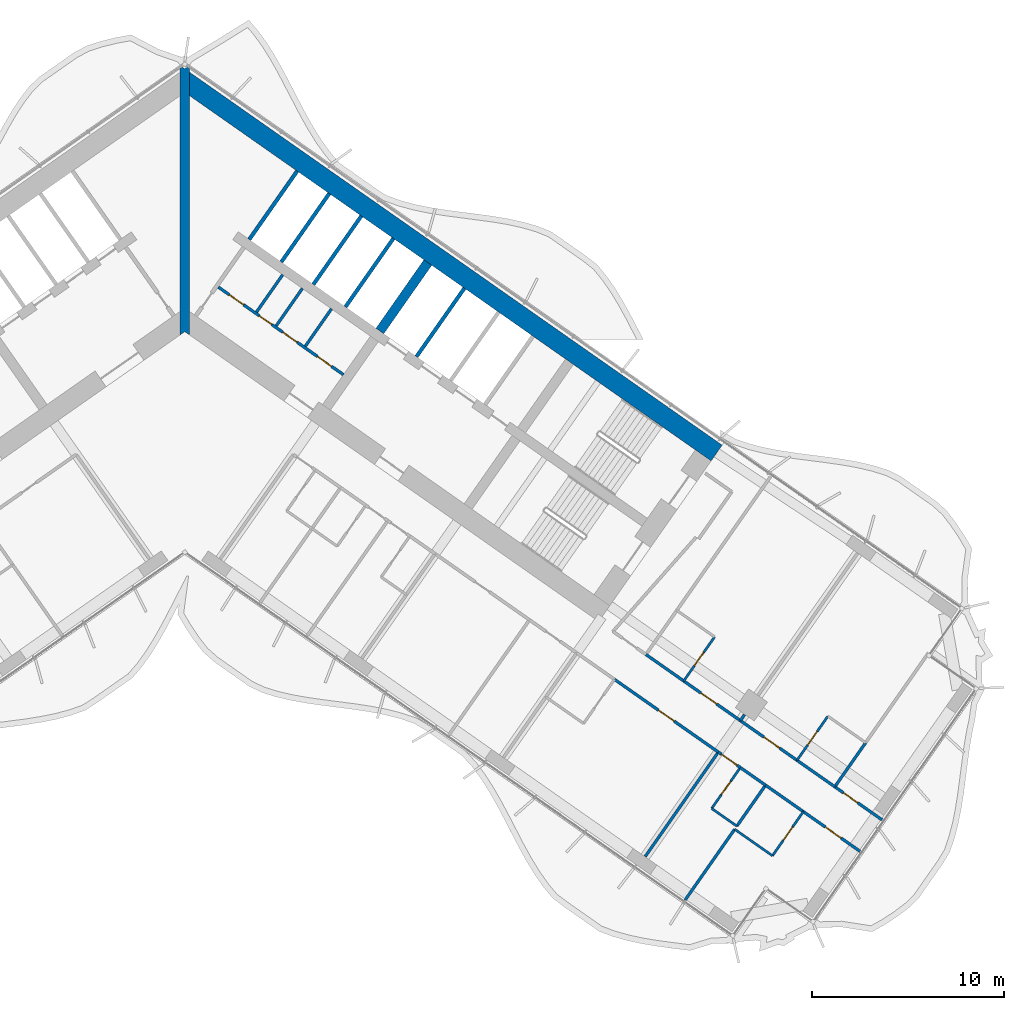
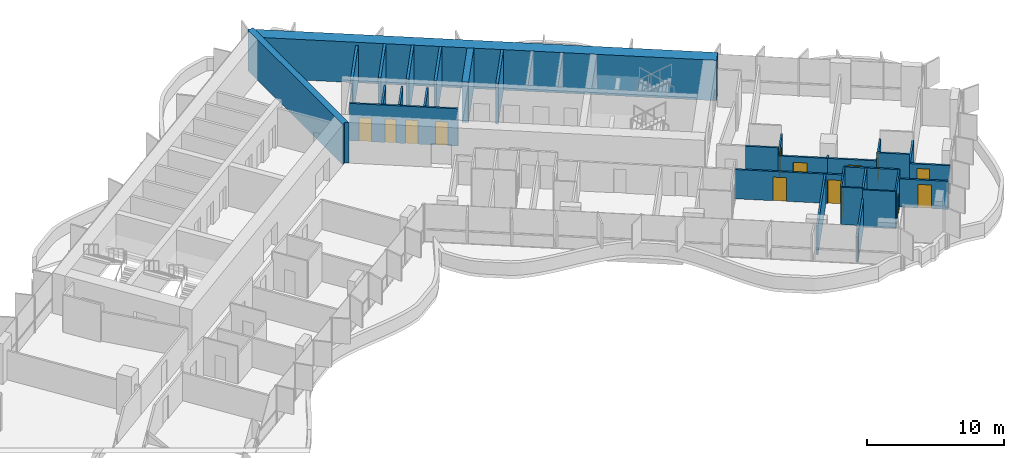
# One storey, part 15 of 23: 33 walls, 14 doors, 14 openings.
"""IFC4 building model written with IfcOpenShell, lengths in metres."""

from ifc_helpers import new_model, si_unit, direction, frame, frame_2d, origin, place, context, subcontext, project, spatial, polyline, rectangle, outline, extrude, material, layer, layer_set, type_object, element, fill, save


model = new_model("IFC4")

# Units and contexts
model_context = context("Model", 3, precision=1e-05, world=origin(), true_north=direction((0.0, 1.0)))
body_context = subcontext(model_context, "Body", "Model", "MODEL_VIEW")
ifc_project = project(units=[si_unit("LENGTHUNIT", "METRE"), si_unit("AREAUNIT", "SQUARE_METRE"), si_unit("VOLUMEUNIT", "CUBIC_METRE"), si_unit("PLANEANGLEUNIT", "RADIAN"), si_unit("MASSUNIT", "GRAM", prefix="KILO")], contexts=[model_context])

# Site, building, storey
site_placement = place(None, origin())
site = spatial("IfcSite", under=ifc_project, at=site_placement, CompositionType="ELEMENT")
building_placement = place(site_placement, origin())
building = spatial("IfcBuilding", under=site, at=building_placement, Name="Tel Ilan Convention Tower", CompositionType="ELEMENT")
storey_placement = place(building_placement, frame((0.0, 0.0, 112.10009765625)))
storey = spatial("IfcBuildingStorey", under=building, at=storey_placement, Name="L24", CompositionType="ELEMENT", Elevation=112.10009765625)

# Wall, openings, doors
ifc_material_1 = material(Name="Gypsum Plasterboard on Steel Stud", Category="steel")
ifc_layer_1 = layer(ifc_material_1, 0.14990234375)
ifc_layer_set_1 = layer_set([ifc_layer_1], Name="Core Room Partition Wall 150 mm EI 60")
wall_type_1 = type_object("IfcWallType", Name="Core Room Partition Wall 150 mm EI 60", PredefinedType="PARTITIONING", material=ifc_layer_set_1)
wall_1_placement = place(storey_placement, frame((1.7451171875, 1.097412109375, 0.0), z_axis=(0.0, 0.0, 1.0), x_axis=(0.819156890572, -0.573569515079, 0.0)))
wall_1 = element("IfcWall", 1, at=wall_1_placement, inside=storey, type_object=wall_type_1, Name="L24 core wall wc-h1", PredefinedType="PARTITIONING", context=body_context, shape_type="SweptSolid", body=[
    extrude(rectangle(XDim=7.949951171875, YDim=0.14990234375, at=frame_2d((3.97509765625, 0.0))), origin(), (0.0, 0.0, 1.0), 3.31982421875),
])
opening_1_placement = place(wall_1_placement, frame((0.699951171875, 0.0, 0.0)))
opening_1 = element("IfcOpeningElement", 2, at=opening_1_placement, cuts=wall_1, Name="Opening CD2010", PredefinedType="OPENING", context=body_context, shape_type="SweptSolid", body=[
    extrude(rectangle(XDim=0.89990234375, YDim=2.10009765625, at=frame_2d((0.449951171875, 1.050048828125))), frame((0.0, 0.0849609375, 0.0), z_axis=(0.0, -1.0, 0.0), x_axis=(1.0, 0.0, 0.0)), (0.0, 0.0, 1.0), 0.169921875),
])
opening_2_placement = place(wall_1_placement, frame((2.60009765625, 0.0, 0.0)))
opening_2 = element("IfcOpeningElement", 3, at=opening_2_placement, cuts=wall_1, Name="Opening CD2009", PredefinedType="OPENING", context=body_context, shape_type="SweptSolid", body=[
    extrude(rectangle(XDim=0.800048828125, YDim=2.10009765625, at=frame_2d((0.39990234375, 1.050048828125))), frame((0.0, 0.0849609375, 0.0), z_axis=(0.0, -1.0, 0.0), x_axis=(1.0, 0.0, 0.0)), (0.0, 0.0, 1.0), 0.169921875),
])
opening_3_placement = place(wall_1_placement, frame((4.10009765625, 0.0, 0.0)))
opening_3 = element("IfcOpeningElement", 4, at=opening_3_placement, cuts=wall_1, Name="Opening CD2008", PredefinedType="OPENING", context=body_context, shape_type="SweptSolid", body=[
    extrude(rectangle(XDim=0.89990234375, YDim=2.10009765625, at=frame_2d((0.449951171875, 1.050048828125))), frame((0.0, 0.0849609375, 0.0), z_axis=(0.0, -1.0, 0.0), x_axis=(1.0, 0.0, 0.0)), (0.0, 0.0, 1.0), 0.169921875),
])
opening_4_placement = place(wall_1_placement, frame((6.300048828125, 0.0, 0.0)))
opening_4 = element("IfcOpeningElement", 5, at=opening_4_placement, cuts=wall_1, Name="Opening CD2011", PredefinedType="OPENING", context=body_context, shape_type="SweptSolid", body=[
    extrude(rectangle(XDim=0.89990234375, YDim=2.10009765625, at=frame_2d((0.449951171875, 1.050048828125))), frame((0.0, 0.0849609375, 0.0), z_axis=(0.0, -1.0, 0.0), x_axis=(1.0, 0.0, 0.0)), (0.0, 0.0, 1.0), 0.169921875),
])
ifc_material_2 = material(Name="Galvanised Steel Door Leaf", Category="steel")
door_type_1 = type_object("IfcDoorType", Name="Store Door 800 x 2100 FD60", OperationType="NOTDEFINED", PredefinedType="DOOR", material=ifc_material_2)
door_1_placement = place(opening_2_placement, origin())
door_1 = element("IfcDoor", 6, at=door_1_placement, inside=storey, type_object=door_type_1, Name="Cleaner's store door", OperationType="SINGLE_SWING_RIGHT", OverallHeight=2.10009765625, OverallWidth=0.800048828125, PredefinedType="DOOR", context=body_context, shape_type="SweptSolid", body=[
    extrude(rectangle(XDim=0.800048828125, YDim=2.10009765625, at=frame_2d((0.39990234375, 1.050048828125))), frame((0.0, 0.02490234375, 0.0), z_axis=(0.0, -1.0, 0.0), x_axis=(1.0, 0.0, 0.0)), (0.0, 0.0, 1.0), 0.050048828125),
])
fill(opening_2, door_1)
ifc_material_3 = material(Name="Laminated Timber Door Leaf", Category="wood")
door_type_2 = type_object("IfcDoorType", Name="Toilet Door 900 x 2100 FD30S", OperationType="NOTDEFINED", PredefinedType="DOOR", material=ifc_material_3)
door_2_placement = place(opening_1_placement, origin())
door_2 = element("IfcDoor", 7, at=door_2_placement, inside=storey, type_object=door_type_2, Name="Men's WC door", OperationType="SINGLE_SWING_RIGHT", OverallHeight=2.10009765625, OverallWidth=0.89990234375, PredefinedType="DOOR", context=body_context, shape_type="SweptSolid", body=[
    extrude(rectangle(XDim=0.89990234375, YDim=2.10009765625, at=frame_2d((0.449951171875, 1.050048828125))), frame((0.0, 0.02490234375, 0.0), z_axis=(0.0, -1.0, 0.0), x_axis=(1.0, 0.0, 0.0)), (0.0, 0.0, 1.0), 0.050048828125),
])
fill(opening_1, door_2)
door_3_placement = place(opening_3_placement, origin())
door_3 = element("IfcDoor", 8, at=door_3_placement, inside=storey, type_object=door_type_2, Name="Accessible WC door", OperationType="SINGLE_SWING_RIGHT", OverallHeight=2.10009765625, OverallWidth=0.89990234375, PredefinedType="DOOR", context=body_context, shape_type="SweptSolid", body=[
    extrude(rectangle(XDim=0.89990234375, YDim=2.10009765625, at=frame_2d((0.449951171875, 1.050048828125))), frame((0.0, 0.02490234375, 0.0), z_axis=(0.0, -1.0, 0.0), x_axis=(1.0, 0.0, 0.0)), (0.0, 0.0, 1.0), 0.050048828125),
])
fill(opening_3, door_3)
door_4_placement = place(opening_4_placement, origin())
door_4 = element("IfcDoor", 9, at=door_4_placement, inside=storey, type_object=door_type_2, Name="Women's WC door", OperationType="SINGLE_SWING_RIGHT", OverallHeight=2.10009765625, OverallWidth=0.89990234375, PredefinedType="DOOR", context=body_context, shape_type="SweptSolid", body=[
    extrude(rectangle(XDim=0.89990234375, YDim=2.10009765625, at=frame_2d((0.449951171875, 1.050048828125))), frame((0.0, 0.02490234375, 0.0), z_axis=(0.0, -1.0, 0.0), x_axis=(1.0, 0.0, 0.0)), (0.0, 0.0, 1.0), 0.050048828125),
])
fill(opening_4, door_4)

# Walls
for number, where, z_axis, x_axis, name in (
    (10, (3.733642578125, -0.203369140625, 0.0), (0.0, 0.0, 1.0), (0.573579618003, 0.819149816463, 0.0), "L24 core wall wc-v0"),
    (11, (4.757568359375, -0.92041015625, 0.0), (0.0, 0.0, 1.0), (0.573579618003, 0.819149816463, 0.0), "L24 core wall wc-v1"),
    (12, (6.27294921875, -1.9814453125, 0.0), (0.0, 0.0, 1.0), (0.573579618003, 0.819149816463, 0.0), "L24 core wall wc-v2"),
):
    element("IfcWall", number, at=place(storey_placement, frame(where, z_axis=z_axis, x_axis=x_axis)), inside=storey, type_object=wall_type_1, Name=name, PredefinedType="PARTITIONING", context=body_context, shape_type="SweptSolid", body=[
        extrude(rectangle(XDim=2.375, YDim=0.14990234375, at=frame_2d((1.1875, 0.0))), origin(), (0.0, 0.0, 1.0), 3.31982421875),
    ])
ifc_material_4 = material(Name="Concrete C30/37", Category="concrete")
ifc_layer_2 = layer(ifc_material_4, 0.199951171875)
ifc_layer_set_2 = layer_set([ifc_layer_2], Name="Core Service Room Wall 200 mm C30/37")
wall_type_2 = type_object("IfcWallType", Name="Core Service Room Wall 200 mm C30/37", PredefinedType="SOLIDWALL", material=ifc_layer_set_2)
wall_2_placement = place(storey_placement, frame((3.355224609375, 3.5712890625, 0.0), z_axis=(0.0, 0.0, 1.0), x_axis=(0.57356780395, 0.819158088694, 0.0)))
element("IfcWall", 13, at=wall_2_placement, inside=storey, type_object=wall_type_2, Name="L24 core wall apex-E-b", PredefinedType="SOLIDWALL", context=body_context, shape_type="SweptSolid", body=[
    extrude(rectangle(XDim=4.35009765625, YDim=0.199951171875, at=frame_2d((2.175048828125, 0.0))), origin(), (0.0, 0.0, 1.0), 3.31982421875),
])
ifc_material_5 = material(Name="Concrete C60/75", Category="concrete")
ifc_layer_3 = layer(ifc_material_5, 1.0)
ifc_layer_set_3 = layer_set([ifc_layer_3], Name="Core Shear Wall 1000 mm C60/75")
wall_type_3 = type_object("IfcWallType", Name="Core Shear Wall 1000 mm C60/75", PredefinedType="SHEAR", material=ifc_layer_set_3)
wall_3_placement = place(storey_placement, frame((-0.036865234375, 11.8671875, 0.0), z_axis=(0.0, 0.0, 1.0), x_axis=(0.819155306259, -0.573571777746, 0.0)))
element("IfcWall", 14, at=wall_3_placement, inside=storey, type_object=wall_type_3, Name="L24 core wall E-back", PredefinedType="SHEAR", context=body_context, shape_type="SweptSolid", body=[
    extrude(outline(polyline([(33.8369140625, 0.5), (0.0, 0.5), (0.7001953125, -0.499755859375), (33.8369140625, -0.5), (33.8369140625, 0.5)])), origin(), (0.0, 0.0, 1.0), 3.599853515625),
])
ifc_material_6 = material(Name="Concrete C60/75", Category="concrete")
ifc_layer_4 = layer(ifc_material_6, 0.5)
ifc_layer_set_4 = layer_set([ifc_layer_4], Name="Core Shear Wall 500 mm C60/75")
wall_type_4 = type_object("IfcWallType", Name="Core Shear Wall 500 mm C60/75", PredefinedType="SHEAR", material=ifc_layer_set_4)
wall_4_placement = place(storey_placement, frame((10.154296875, -1.189208984375, 0.0), z_axis=(0.0, 0.0, 1.0), x_axis=(0.573594173421, 0.819139624372, 0.0)))
element("IfcWall", 15, at=wall_4_placement, inside=storey, type_object=wall_type_4, Name="L24 core wall E-cross1-2", PredefinedType="SHEAR", context=body_context, shape_type="SweptSolid", body=[
    extrude(outline(polyline([(4.349853515625, -0.25), (4.349853515625, 0.25), (-0.000244140625, 0.25), (-0.000244140625, -0.25), (4.349853515625, -0.25)])), origin(), (0.0, 0.0, 1.0), 3.599853515625),
])
wall_5_placement = place(storey_placement, frame((0.0, -1.395751953125, 0.0), z_axis=(0.0, 0.0, 1.0), x_axis=(0.0, 1.0, 0.0)))
element("IfcWall", 16, at=wall_5_placement, inside=storey, type_object=wall_type_4, Name="L24 core wall K-central", PredefinedType="SHEAR", context=body_context, shape_type="SweptSolid", body=[
    extrude(outline(polyline([(0.0, -0.25), (0.175048828125, -0.25), (1.220703125, -0.25), (12.451904296875, -0.25), (13.84765625, -0.25), (13.85693359375, -0.25), (13.96826171875, -0.172119140625), (13.84765625, 0.0), (13.96826171875, 0.172119140625), (13.85693359375, 0.25), (13.84765625, 0.25), (12.451904296875, 0.25), (1.220703125, 0.25), (0.175048828125, 0.25), (0.0, 0.25), (0.175048828125, 0.0), (0.0, -0.25)])), origin(), (0.0, 0.0, 1.0), 3.599853515625),
])

# Wall, opening, door
ifc_material_7 = material(Name="Plasterboard on Steel Studs", Category="steel")
ifc_layer_5 = layer(ifc_material_7, 0.14990234375)
ifc_layer_set_5 = layer_set([ifc_layer_5], Name="Fire-rated Partition 150 EI 60")
wall_type_5 = type_object("IfcWallType", Name="Fire-rated Partition 150 EI 60", PredefinedType="PARTITIONING", material=ifc_layer_set_5)
wall_6_placement = place(storey_placement, frame((25.966064453125, -19.402587890625, 0.0), z_axis=(0.0, 0.0, 1.0), x_axis=(0.81917779803, -0.57353965444, 0.0)))
wall_6 = element("IfcWall", 17, at=wall_6_placement, inside=storey, type_object=wall_type_5, Name="Partition 002", PredefinedType="PARTITIONING", context=body_context, shape_type="SweptSolid", body=[
    extrude(rectangle(XDim=3.602783203125, YDim=0.14990234375, at=frame_2d((1.80126953125, 0.0))), origin(), (0.0, 0.0, 1.0), 2.599853515625),
])
opening_5_placement = place(wall_6_placement, frame((1.10107421875, 0.0, 0.0)))
opening_5 = element("IfcOpeningElement", 18, at=opening_5_placement, cuts=wall_6, Name="Opening L24-029", PredefinedType="OPENING", context=body_context, shape_type="SweptSolid", body=[
    extrude(rectangle(XDim=1.0, YDim=2.10009765625, at=frame_2d((0.5, 1.050048828125))), frame((0.0, 0.0849609375, 0.0), z_axis=(0.0, -1.0, 0.0), x_axis=(1.0, 0.0, 0.0)), (0.0, 0.0, 1.0), 0.169921875),
])
ifc_material_8 = material(Name="Timber Door Leaf in Steel Frame", Category="steel")
door_type_3 = type_object("IfcDoorType", Name="Hotel Room Entrance Fire Door 1000x2100", OperationType="NOTDEFINED", PredefinedType="DOOR", material=ifc_material_8)
door_5_placement = place(opening_5_placement, origin())
door_5 = element("IfcDoor", 19, at=door_5_placement, inside=storey, type_object=door_type_3, Name="Door L24-029", OperationType="SINGLE_SWING_LEFT", OverallHeight=2.10009765625, OverallWidth=1.0, PredefinedType="DOOR", context=body_context, shape_type="SweptSolid", body=[
    extrude(rectangle(XDim=1.0, YDim=2.10009765625, at=frame_2d((0.5, 1.050048828125))), frame((0.0, 0.02490234375, 0.0), z_axis=(0.0, -1.0, 0.0), x_axis=(1.0, 0.0, 0.0)), (0.0, 0.0, 1.0), 0.050048828125),
])
fill(opening_5, door_5)

# Wall
wall_7_placement = place(storey_placement, frame((23.999267578125, -18.025390625, 0.0), z_axis=(0.0, 0.0, 1.0), x_axis=(0.819146032251, -0.573585022335, 0.0)))
element("IfcWall", 20, at=wall_7_placement, inside=storey, type_object=wall_type_5, Name="Partition 003", PredefinedType="PARTITIONING", context=body_context, shape_type="SweptSolid", body=[
    extrude(rectangle(XDim=2.404052734375, YDim=0.14990234375, at=frame_2d((1.2021484375, 0.0))), origin(), (0.0, 0.0, 1.0), 3.31982421875),
])

# Wall, opening, door
wall_8_placement = place(storey_placement, frame((28.914306640625, -21.466796875, 0.0), z_axis=(0.0, 0.0, 1.0), x_axis=(0.819145961204, -0.573585123798, 0.0)))
wall_8 = element("IfcWall", 21, at=wall_8_placement, inside=storey, type_object=wall_type_5, Name="Partition 004", PredefinedType="PARTITIONING", context=body_context, shape_type="SweptSolid", body=[
    extrude(rectangle(XDim=3.60302734375, YDim=0.14990234375, at=frame_2d((1.801513671875, 0.0))), origin(), (0.0, 0.0, 1.0), 2.599853515625),
])
opening_6_placement = place(wall_8_placement, frame((1.501953125, 0.0, 0.0)))
opening_6 = element("IfcOpeningElement", 22, at=opening_6_placement, cuts=wall_8, Name="Opening L24-031", PredefinedType="OPENING", context=body_context, shape_type="SweptSolid", body=[
    extrude(rectangle(XDim=1.0, YDim=2.10009765625, at=frame_2d((0.5, 1.050048828125))), frame((0.0, 0.0849609375, 0.0), z_axis=(0.0, -1.0, 0.0), x_axis=(1.0, 0.0, 0.0)), (0.0, 0.0, 1.0), 0.169921875),
])
door_6_placement = place(opening_6_placement, origin())
door_6 = element("IfcDoor", 23, at=door_6_placement, inside=storey, type_object=door_type_3, Name="Door L24-031", OperationType="SINGLE_SWING_LEFT", OverallHeight=2.10009765625, OverallWidth=1.0, PredefinedType="DOOR", context=body_context, shape_type="SweptSolid", body=[
    extrude(rectangle(XDim=1.0, YDim=2.10009765625, at=frame_2d((0.5, 1.050048828125))), frame((0.0, 0.02490234375, 0.0), z_axis=(0.0, -1.0, 0.0), x_axis=(1.0, 0.0, 0.0)), (0.0, 0.0, 1.0), 0.050048828125),
])
fill(opening_6, door_6)

# Wall
wall_9_placement = place(storey_placement, frame((31.86328125, -23.531494140625, 0.0), z_axis=(0.0, 0.0, 1.0), x_axis=(0.819146032251, -0.573585022335, 0.0)))
element("IfcWall", 24, at=wall_9_placement, inside=storey, type_object=wall_type_5, Name="Partition 005", PredefinedType="PARTITIONING", context=body_context, shape_type="SweptSolid", body=[
    extrude(rectangle(XDim=2.404052734375, YDim=0.14990234375, at=frame_2d((1.2021484375, 0.0))), origin(), (0.0, 0.0, 1.0), 3.31982421875),
])

# Wall, opening, door
wall_10_placement = place(storey_placement, frame((33.8291015625, -24.908203125, 0.0), z_axis=(0.0, 0.0, 1.0), x_axis=(0.81915932427, -0.57356603932, 0.0)))
wall_10 = element("IfcWall", 25, at=wall_10_placement, inside=storey, type_object=wall_type_5, Name="Partition 006", PredefinedType="PARTITIONING", context=body_context, shape_type="SweptSolid", body=[
    extrude(rectangle(XDim=3.002197265625, YDim=0.14990234375, at=frame_2d((1.5009765625, 0.0))), origin(), (0.0, 0.0, 1.0), 2.5),
])
opening_7_placement = place(wall_10_placement, frame((0.551025390625, 0.0, 0.0)))
opening_7 = element("IfcOpeningElement", 26, at=opening_7_placement, cuts=wall_10, Name="Opening L24-032", PredefinedType="OPENING", context=body_context, shape_type="SweptSolid", body=[
    extrude(rectangle(XDim=0.89990234375, YDim=2.10009765625, at=frame_2d((0.449951171875, 1.050048828125))), frame((0.0, 0.0849609375, 0.0), z_axis=(0.0, -1.0, 0.0), x_axis=(1.0, 0.0, 0.0)), (0.0, 0.0, 1.0), 0.169921875),
])
ifc_material_9 = material(Name="Timber Door Leaf in Steel Frame", Category="steel")
door_type_4 = type_object("IfcDoorType", Name="Room Fire Door 900x2100", OperationType="NOTDEFINED", PredefinedType="DOOR", material=ifc_material_9)
door_7_placement = place(opening_7_placement, origin())
door_7 = element("IfcDoor", 27, at=door_7_placement, inside=storey, type_object=door_type_4, Name="Door L24-032", OperationType="SINGLE_SWING_RIGHT", OverallHeight=2.10009765625, OverallWidth=0.89990234375, PredefinedType="DOOR", context=body_context, shape_type="SweptSolid", body=[
    extrude(rectangle(XDim=0.89990234375, YDim=2.10009765625, at=frame_2d((0.449951171875, 1.050048828125))), frame((0.0, 0.02490234375, 0.0), z_axis=(0.0, -1.0, 0.0), x_axis=(1.0, 0.0, 0.0)), (0.0, 0.0, 1.0), 0.050048828125),
])
fill(opening_7, door_7)

wall_11_placement = place(storey_placement, frame((27.7705078125, -23.107421875, 0.0), z_axis=(0.0, 0.0, 1.0), x_axis=(-0.819153746897, 0.573574004767, 0.0)))
wall_11 = element("IfcWall", 28, at=wall_11_placement, inside=storey, type_object=wall_type_5, Name="Partition 015", PredefinedType="PARTITIONING", context=body_context, shape_type="SweptSolid", body=[
    extrude(rectangle(XDim=6.60302734375, YDim=0.14990234375, at=frame_2d((3.301513671875, 0.0))), origin(), (0.0, 0.0, 1.0), 2.599853515625),
])
opening_8_placement = place(wall_11_placement, frame((2.802001953125, 0.0, 0.0)))
opening_8 = element("IfcOpeningElement", 29, at=opening_8_placement, cuts=wall_11, Name="Opening L24-022", PredefinedType="OPENING", context=body_context, shape_type="SweptSolid", body=[
    extrude(rectangle(XDim=1.0, YDim=2.10009765625, at=frame_2d((0.5, 1.050048828125))), frame((0.0, 0.0849609375, 0.0), z_axis=(0.0, -1.0, 0.0), x_axis=(1.0, 0.0, 0.0)), (0.0, 0.0, 1.0), 0.169921875),
])
door_8_placement = place(opening_8_placement, origin())
door_8 = element("IfcDoor", 30, at=door_8_placement, inside=storey, type_object=door_type_3, Name="Door L24-022", OperationType="SINGLE_SWING_LEFT", OverallHeight=2.10009765625, OverallWidth=1.0, PredefinedType="DOOR", context=body_context, shape_type="SweptSolid", body=[
    extrude(rectangle(XDim=1.0, YDim=2.10009765625, at=frame_2d((0.5, 1.050048828125))), frame((0.0, 0.02490234375, 0.0), z_axis=(0.0, -1.0, 0.0), x_axis=(1.0, 0.0, 0.0)), (0.0, 0.0, 1.0), 0.050048828125),
])
fill(opening_8, door_8)

wall_12_placement = place(storey_placement, frame((28.91650390625, -23.909912109375, 0.0), z_axis=(0.0, 0.0, 1.0), x_axis=(-0.819117471667, 0.573625808005, 0.0)))
wall_12 = element("IfcWall", 31, at=wall_12_placement, inside=storey, type_object=wall_type_5, Name="Partition 017", PredefinedType="PARTITIONING", context=body_context, shape_type="SweptSolid", body=[
    extrude(rectangle(XDim=1.4033203125, YDim=0.14990234375, at=frame_2d((0.70166015625, 0.0))), origin(), (0.0, 0.0, 1.0), 2.599853515625),
])
opening_9_placement = place(wall_12_placement, frame((0.200927734375, 0.0, 0.0)))
opening_9 = element("IfcOpeningElement", 32, at=opening_9_placement, cuts=wall_12, Name="Opening L24-024", PredefinedType="OPENING", context=body_context, shape_type="SweptSolid", body=[
    extrude(rectangle(XDim=1.0, YDim=2.10009765625, at=frame_2d((0.5, 1.050048828125))), frame((0.0, 0.0849609375, 0.0), z_axis=(0.0, -1.0, 0.0), x_axis=(1.0, 0.0, 0.0)), (0.0, 0.0, 1.0), 0.169921875),
])
door_9_placement = place(opening_9_placement, origin())
door_9 = element("IfcDoor", 33, at=door_9_placement, inside=storey, type_object=door_type_3, Name="Door L24-024", OperationType="SINGLE_SWING_LEFT", OverallHeight=2.10009765625, OverallWidth=1.0, PredefinedType="DOOR", context=body_context, shape_type="SweptSolid", body=[
    extrude(rectangle(XDim=1.0, YDim=2.10009765625, at=frame_2d((0.5, 1.050048828125))), frame((0.0, 0.02490234375, 0.0), z_axis=(0.0, -1.0, 0.0), x_axis=(1.0, 0.0, 0.0)), (0.0, 0.0, 1.0), 0.050048828125),
])
fill(opening_9, door_9)

# Wall
wall_13_placement = place(storey_placement, frame((30.227783203125, -24.828125, 0.0), z_axis=(0.0, 0.0, 1.0), x_axis=(-0.819189013667, 0.573523634986, 0.0)))
element("IfcWall", 34, at=wall_13_placement, inside=storey, type_object=wall_type_5, Name="Partition 018", PredefinedType="PARTITIONING", context=body_context, shape_type="SweptSolid", body=[
    extrude(rectangle(XDim=1.60400390625, YDim=0.14990234375, at=frame_2d((0.802001953125, 0.0))), origin(), (0.0, 0.0, 1.0), 3.31982421875),
])

# Wall, opening, door
wall_14_placement = place(storey_placement, frame((35.14111328125, -28.268310546875, 0.0), z_axis=(0.0, 0.0, 1.0), x_axis=(-0.819149096931, 0.573580645591, 0.0)))
wall_14 = element("IfcWall", 35, at=wall_14_placement, inside=storey, type_object=wall_type_5, Name="Partition 019", PredefinedType="PARTITIONING", context=body_context, shape_type="SweptSolid", body=[
    extrude(rectangle(XDim=3.600830078125, YDim=0.14990234375, at=frame_2d((1.80029296875, 0.0))), origin(), (0.0, 0.0, 1.0), 2.5),
])
opening_10_placement = place(wall_14_placement, frame((1.199951171875, 0.0, 0.0)))
opening_10 = element("IfcOpeningElement", 36, at=opening_10_placement, cuts=wall_14, Name="Opening L24-026", PredefinedType="OPENING", context=body_context, shape_type="SweptSolid", body=[
    extrude(rectangle(XDim=1.0, YDim=2.10009765625, at=frame_2d((0.5, 1.050048828125))), frame((0.0, 0.0849609375, 0.0), z_axis=(0.0, -1.0, 0.0), x_axis=(1.0, 0.0, 0.0)), (0.0, 0.0, 1.0), 0.169921875),
])
door_10_placement = place(opening_10_placement, origin())
door_10 = element("IfcDoor", 37, at=door_10_placement, inside=storey, type_object=door_type_3, Name="Door L24-026", OperationType="SINGLE_SWING_LEFT", OverallHeight=2.10009765625, OverallWidth=1.0, PredefinedType="DOOR", context=body_context, shape_type="SweptSolid", body=[
    extrude(rectangle(XDim=1.0, YDim=2.10009765625, at=frame_2d((0.5, 1.050048828125))), frame((0.0, 0.02490234375, 0.0), z_axis=(0.0, -1.0, 0.0), x_axis=(1.0, 0.0, 0.0)), (0.0, 0.0, 1.0), 0.050048828125),
])
fill(opening_10, door_10)

# Walls
wall_15_placement = place(storey_placement, frame((32.19384765625, -26.20458984375, 0.0), z_axis=(0.0, 0.0, 1.0), x_axis=(-0.819146032251, 0.573585022335, 0.0)))
element("IfcWall", 38, at=wall_15_placement, inside=storey, type_object=wall_type_5, Name="Partition 020", PredefinedType="PARTITIONING", context=body_context, shape_type="SweptSolid", body=[
    extrude(rectangle(XDim=2.404052734375, YDim=0.14990234375, at=frame_2d((1.2021484375, 0.0))), origin(), (0.0, 0.0, 1.0), 3.31982421875),
])
wall_16_placement = place(storey_placement, frame((29.1337890625, -21.156494140625, 0.0), z_axis=(0.0, 0.0, 1.0), x_axis=(-0.572944929411, -0.819593867633, 0.0)))
element("IfcWall", 39, at=wall_16_placement, inside=storey, type_object=wall_type_5, Name="Partition 041", PredefinedType="PARTITIONING", context=body_context, shape_type="SweptSolid", body=[
    extrude(rectangle(XDim=0.380126953125, YDim=0.14990234375, at=frame_2d((0.18994140625, 0.0))), origin(), (0.0, 0.0, 1.0), 2.599853515625),
])
wall_17_placement = place(storey_placement, frame((35.436767578125, -22.61572265625, 0.0), z_axis=(0.0, 0.0, 1.0), x_axis=(-0.573550118428, -0.819170471667, 0.0)))
element("IfcWall", 40, at=wall_17_placement, inside=storey, type_object=wall_type_5, Name="Partition 045", PredefinedType="PARTITIONING", context=body_context, shape_type="SweptSolid", body=[
    extrude(rectangle(XDim=2.800048828125, YDim=0.14990234375, at=frame_2d((1.39990234375, 0.0))), origin(), (0.0, 0.0, 1.0), 2.599853515625),
])
wall_18_placement = place(storey_placement, frame((27.768798828125, -23.106201171875, 0.0), z_axis=(0.0, 0.0, 1.0), x_axis=(-0.57359826181, -0.819136761505, 0.0)))
element("IfcWall", 41, at=wall_18_placement, inside=storey, type_object=wall_type_5, Name="Partition 063", PredefinedType="PARTITIONING", context=body_context, shape_type="SweptSolid", body=[
    extrude(rectangle(XDim=6.630126953125, YDim=0.14990234375, at=frame_2d((3.31494140625, 0.0))), origin(), (0.0, 0.0, 1.0), 2.599853515625),
])
wall_19_placement = place(storey_placement, frame((28.620849609375, -27.11962890625, 0.0), z_axis=(0.0, 0.0, 1.0), x_axis=(-0.573593387921, -0.81914017441, 0.0)))
element("IfcWall", 42, at=wall_19_placement, inside=storey, type_object=wall_type_5, Name="Partition 066", PredefinedType="PARTITIONING", context=body_context, shape_type="SweptSolid", body=[
    extrude(rectangle(XDim=4.5009765625, YDim=0.14990234375, at=frame_2d((2.25048828125, 0.0))), origin(), (0.0, 0.0, 1.0), 2.5),
])
wall_20_placement = place(storey_placement, frame((30.226318359375, -24.826904296875, 0.0), z_axis=(0.0, 0.0, 1.0), x_axis=(-0.573600972199, -0.819134863556, 0.0)))
element("IfcWall", 43, at=wall_20_placement, inside=storey, type_object=wall_type_5, Name="Partition 067", PredefinedType="PARTITIONING", context=body_context, shape_type="SweptSolid", body=[
    extrude(rectangle(XDim=2.60009765625, YDim=0.14990234375, at=frame_2d((1.300048828125, 0.0))), origin(), (0.0, 0.0, 1.0), 3.31982421875),
])
ifc_material_10 = material(Name="Concrete C30/37", Category="concrete")
ifc_layer_6 = layer(ifc_material_10, 0.199951171875)
ifc_layer_set_6 = layer_set([ifc_layer_6], Name="Lift Shaft Wall 200 mm C30/37")
wall_type_6 = type_object("IfcWallType", Name="Lift Shaft Wall 200 mm C30/37", PredefinedType="SOLIDWALL", material=ifc_layer_set_6)
wall_21_placement = place(storey_placement, frame((5.0244140625, 2.402587890625, 0.0), z_axis=(0.0, 0.0, 1.0), x_axis=(0.573530143085, 0.819184457233, 0.0)))
element("IfcWall", 44, at=wall_21_placement, inside=storey, type_object=wall_type_6, Name="L24 core wall bank-E1-p0", PredefinedType="SOLIDWALL", context=body_context, shape_type="SweptSolid", body=[
    extrude(rectangle(XDim=4.35009765625, YDim=0.199951171875, at=frame_2d((2.175048828125, 0.0))), origin(), (0.0, 0.0, 1.0), 3.599853515625),
])
for number, where, z_axis, x_axis, name in (
    (45, (6.693359375, 1.234130859375, 0.0), (0.0, 0.0, 1.0), (0.573594173421, 0.819139624372, 0.0), "L24 core wall bank-E1-p1"),
    (46, (8.3623046875, 0.0654296875, 0.0), (0.0, 0.0, 1.0), (0.573594173421, 0.819139624372, 0.0), "L24 core wall bank-E1-p2"),
    (47, (12.05859375, -2.52294921875, 0.0), (0.0, 0.0, 1.0), (0.573594173421, 0.819139624372, 0.0), "L24 core wall bank-E2-p0"),
):
    element("IfcWall", number, at=place(storey_placement, frame(where, z_axis=z_axis, x_axis=x_axis)), inside=storey, type_object=wall_type_6, Name=name, PredefinedType="SOLIDWALL", context=body_context, shape_type="SweptSolid", body=[
        extrude(rectangle(XDim=4.349853515625, YDim=0.199951171875, at=frame_2d((2.1748046875, 0.0))), origin(), (0.0, 0.0, 1.0), 3.599853515625),
    ])

# Wall, opening, door
ifc_material_11 = material(Name="Plasterboard on Steel Studs", Category="steel")
ifc_layer_7 = layer(ifc_material_11, 0.1201171875)
ifc_layer_set_7 = layer_set([ifc_layer_7], Name="Moisture-resistant Partition 120")
wall_type_7 = type_object("IfcWallType", Name="Moisture-resistant Partition 120", PredefinedType="PARTITIONING", material=ifc_layer_set_7)
wall_22_placement = place(storey_placement, frame((25.9677734375, -19.403564453125, 0.0), z_axis=(0.0, 0.0, 1.0), x_axis=(0.573591086599, 0.819141785879, 0.0)))
wall_22 = element("IfcWall", 48, at=wall_22_placement, inside=storey, type_object=wall_type_7, Name="Partition 038", PredefinedType="PARTITIONING", context=body_context, shape_type="SweptSolid", body=[
    extrude(rectangle(XDim=2.7998046875, YDim=0.1201171875, at=frame_2d((1.39990234375, 0.0))), origin(), (0.0, 0.0, 1.0), 2.599853515625),
])
opening_11_placement = place(wall_22_placement, frame((0.97509765625, 0.0, 0.0)))
opening_11 = element("IfcOpeningElement", 49, at=opening_11_placement, cuts=wall_22, Name="Opening L24-028", PredefinedType="OPENING", context=body_context, shape_type="SweptSolid", body=[
    extrude(rectangle(XDim=0.85009765625, YDim=2.050048828125, at=frame_2d((0.425048828125, 1.02490234375))), frame((0.0, 0.070068359375, 0.0), z_axis=(0.0, -1.0, 0.0), x_axis=(1.0, 0.0, 0.0)), (0.0, 0.0, 1.0), 0.14013671875),
])
ifc_material_12 = material(Name="Timber Door Leaf in Steel Frame", Category="steel")
door_type_5 = type_object("IfcDoorType", Name="Bathroom Timber Door 850x2050", OperationType="NOTDEFINED", PredefinedType="DOOR", material=ifc_material_12)
door_11_placement = place(opening_11_placement, origin())
door_11 = element("IfcDoor", 50, at=door_11_placement, inside=storey, type_object=door_type_5, Name="Door L24-028", OperationType="SINGLE_SWING_RIGHT", OverallHeight=2.050048828125, OverallWidth=0.85009765625, PredefinedType="DOOR", context=body_context, shape_type="SweptSolid", body=[
    extrude(rectangle(XDim=0.85009765625, YDim=2.050048828125, at=frame_2d((0.425048828125, 1.02490234375))), frame((0.0, 0.02490234375, 0.0), z_axis=(0.0, -1.0, 0.0), x_axis=(1.0, 0.0, 0.0)), (0.0, 0.0, 1.0), 0.050048828125),
])
fill(opening_11, door_11)

wall_23_placement = place(storey_placement, frame((33.469970703125, -21.238525390625, 0.0), z_axis=(0.0, 0.0, 1.0), x_axis=(-0.573550118428, -0.819170471667, 0.0)))
wall_23 = element("IfcWall", 51, at=wall_23_placement, inside=storey, type_object=wall_type_7, Name="Partition 043", PredefinedType="PARTITIONING", context=body_context, shape_type="SweptSolid", body=[
    extrude(rectangle(XDim=2.800048828125, YDim=0.1201171875, at=frame_2d((1.39990234375, 0.0))), origin(), (0.0, 0.0, 1.0), 2.599853515625),
])
opening_12_placement = place(wall_23_placement, frame((0.97509765625, 0.0, 0.0)))
opening_12 = element("IfcOpeningElement", 52, at=opening_12_placement, cuts=wall_23, Name="Opening L24-030", PredefinedType="OPENING", context=body_context, shape_type="SweptSolid", body=[
    extrude(rectangle(XDim=0.85009765625, YDim=2.050048828125, at=frame_2d((0.425048828125, 1.02490234375))), frame((0.0, 0.070068359375, 0.0), z_axis=(0.0, -1.0, 0.0), x_axis=(1.0, 0.0, 0.0)), (0.0, 0.0, 1.0), 0.14013671875),
])
door_12_placement = place(opening_12_placement, origin())
door_12 = element("IfcDoor", 53, at=door_12_placement, inside=storey, type_object=door_type_5, Name="Door L24-030", OperationType="SINGLE_SWING_RIGHT", OverallHeight=2.050048828125, OverallWidth=0.85009765625, PredefinedType="DOOR", context=body_context, shape_type="SweptSolid", body=[
    extrude(rectangle(XDim=0.85009765625, YDim=2.050048828125, at=frame_2d((0.425048828125, 1.02490234375))), frame((0.0, 0.02490234375, 0.0), z_axis=(0.0, -1.0, 0.0), x_axis=(1.0, 0.0, 0.0)), (0.0, 0.0, 1.0), 0.050048828125),
])
fill(opening_12, door_12)

wall_24_placement = place(storey_placement, frame((28.914794921875, -23.90869140625, 0.0), z_axis=(0.0, 0.0, 1.0), x_axis=(-0.573645091666, -0.819103967032, 0.0)))
wall_24 = element("IfcWall", 54, at=wall_24_placement, inside=storey, type_object=wall_type_7, Name="Partition 064", PredefinedType="PARTITIONING", context=body_context, shape_type="SweptSolid", body=[
    extrude(rectangle(XDim=2.599853515625, YDim=0.1201171875, at=frame_2d((1.2998046875, 0.0))), origin(), (0.0, 0.0, 1.0), 3.31982421875),
])
opening_13_placement = place(wall_24_placement, frame((0.875, 0.0, 0.0)))
opening_13 = element("IfcOpeningElement", 55, at=opening_13_placement, cuts=wall_24, Name="Opening L24-023", PredefinedType="OPENING", context=body_context, shape_type="SweptSolid", body=[
    extrude(rectangle(XDim=0.85009765625, YDim=2.050048828125, at=frame_2d((0.425048828125, 1.02490234375))), frame((0.0, 0.070068359375, 0.0), z_axis=(0.0, -1.0, 0.0), x_axis=(1.0, 0.0, 0.0)), (0.0, 0.0, 1.0), 0.14013671875),
])
door_13_placement = place(opening_13_placement, origin())
door_13 = element("IfcDoor", 56, at=door_13_placement, inside=storey, type_object=door_type_5, Name="Door L24-023", OperationType="SINGLE_SWING_RIGHT", OverallHeight=2.050048828125, OverallWidth=0.85009765625, PredefinedType="DOOR", context=body_context, shape_type="SweptSolid", body=[
    extrude(rectangle(XDim=0.85009765625, YDim=2.050048828125, at=frame_2d((0.425048828125, 1.02490234375))), frame((0.0, 0.02490234375, 0.0), z_axis=(0.0, -1.0, 0.0), x_axis=(1.0, 0.0, 0.0)), (0.0, 0.0, 1.0), 0.050048828125),
])
fill(opening_13, door_13)

# Walls
wall_25_placement = place(storey_placement, frame((27.423583984375, -26.039794921875, 0.0), z_axis=(0.0, 0.0, 1.0), x_axis=(0.81918174131, -0.573534022273, 0.0)))
element("IfcWall", 57, at=wall_25_placement, inside=storey, type_object=wall_type_7, Name="Partition 065", PredefinedType="PARTITIONING", context=body_context, shape_type="SweptSolid", body=[
    extrude(rectangle(XDim=1.60009765625, YDim=0.1201171875, at=frame_2d((0.800048828125, 0.0))), origin(), (0.0, 0.0, 1.0), 3.31982421875),
])
wall_26_placement = place(storey_placement, frame((28.61962890625, -27.121337890625, 0.0), z_axis=(0.0, 0.0, 1.0), x_axis=(0.819141114317, -0.573592045652, 0.0)))
element("IfcWall", 58, at=wall_26_placement, inside=storey, type_object=wall_type_7, Name="Partition 068", PredefinedType="PARTITIONING", context=body_context, shape_type="SweptSolid", body=[
    extrude(rectangle(XDim=2.400146484375, YDim=0.1201171875, at=frame_2d((1.2001953125, 0.0))), origin(), (0.0, 0.0, 1.0), 3.31982421875),
])

# Wall, opening, door
wall_27_placement = place(storey_placement, frame((30.5869140625, -28.497802734375, 0.0), z_axis=(0.0, 0.0, 1.0), x_axis=(0.573608623498, 0.819129505664, 0.0)))
wall_27 = element("IfcWall", 59, at=wall_27_placement, inside=storey, type_object=wall_type_7, Name="Partition 069", PredefinedType="PARTITIONING", context=body_context, shape_type="SweptSolid", body=[
    extrude(rectangle(XDim=2.800048828125, YDim=0.1201171875, at=frame_2d((1.39990234375, 0.0))), origin(), (0.0, 0.0, 1.0), 3.31982421875),
])
opening_14_placement = place(wall_27_placement, frame((0.97509765625, 0.0, 0.0)))
opening_14 = element("IfcOpeningElement", 60, at=opening_14_placement, cuts=wall_27, Name="Opening L24-025", PredefinedType="OPENING", context=body_context, shape_type="SweptSolid", body=[
    extrude(rectangle(XDim=0.85009765625, YDim=2.050048828125, at=frame_2d((0.425048828125, 1.02490234375))), frame((0.0, 0.070068359375, 0.0), z_axis=(0.0, -1.0, 0.0), x_axis=(1.0, 0.0, 0.0)), (0.0, 0.0, 1.0), 0.14013671875),
])
door_14_placement = place(opening_14_placement, origin())
door_14 = element("IfcDoor", 61, at=door_14_placement, inside=storey, type_object=door_type_5, Name="Door L24-025", OperationType="SINGLE_SWING_LEFT", OverallHeight=2.050048828125, OverallWidth=0.85009765625, PredefinedType="DOOR", context=body_context, shape_type="SweptSolid", body=[
    extrude(rectangle(XDim=0.85009765625, YDim=2.050048828125, at=frame_2d((0.425048828125, 1.02490234375))), frame((0.0, 0.02490234375, 0.0), z_axis=(0.0, -1.0, 0.0), x_axis=(1.0, 0.0, 0.0)), (0.0, 0.0, 1.0), 0.050048828125),
])
fill(opening_14, door_14)

save(model, "model.ifc")
